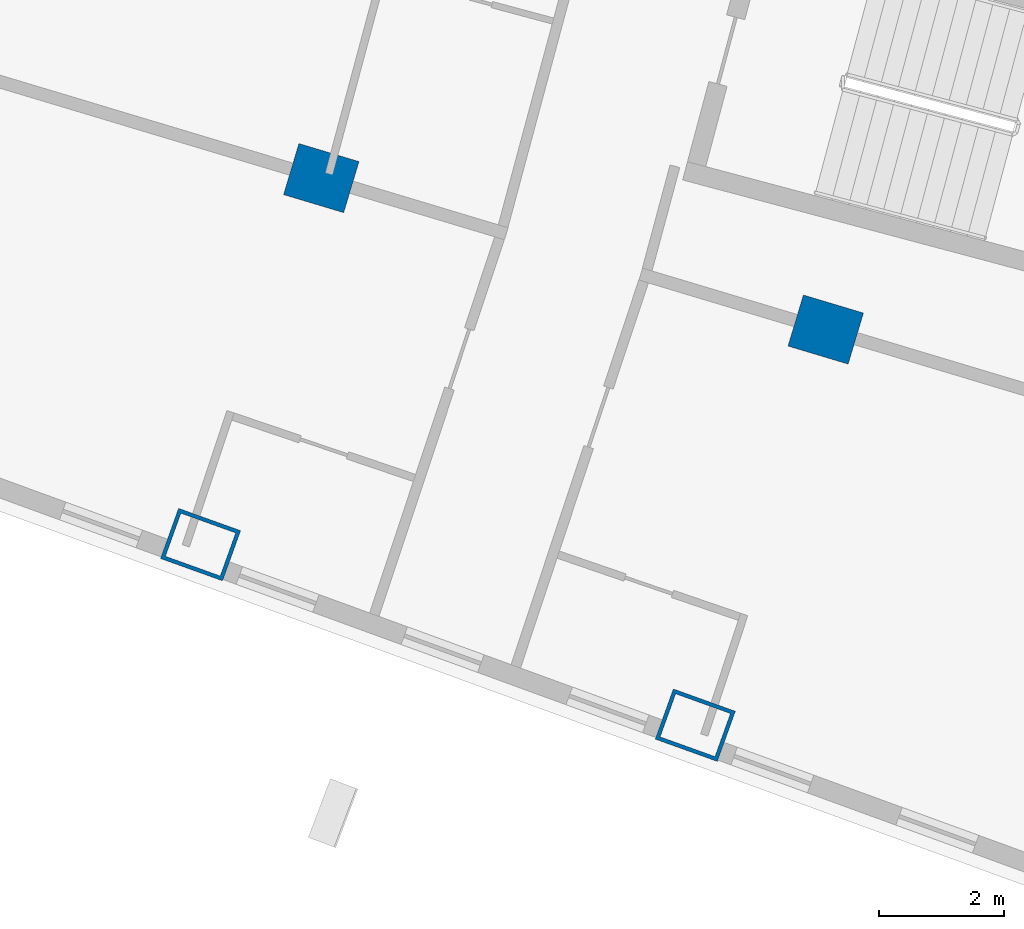
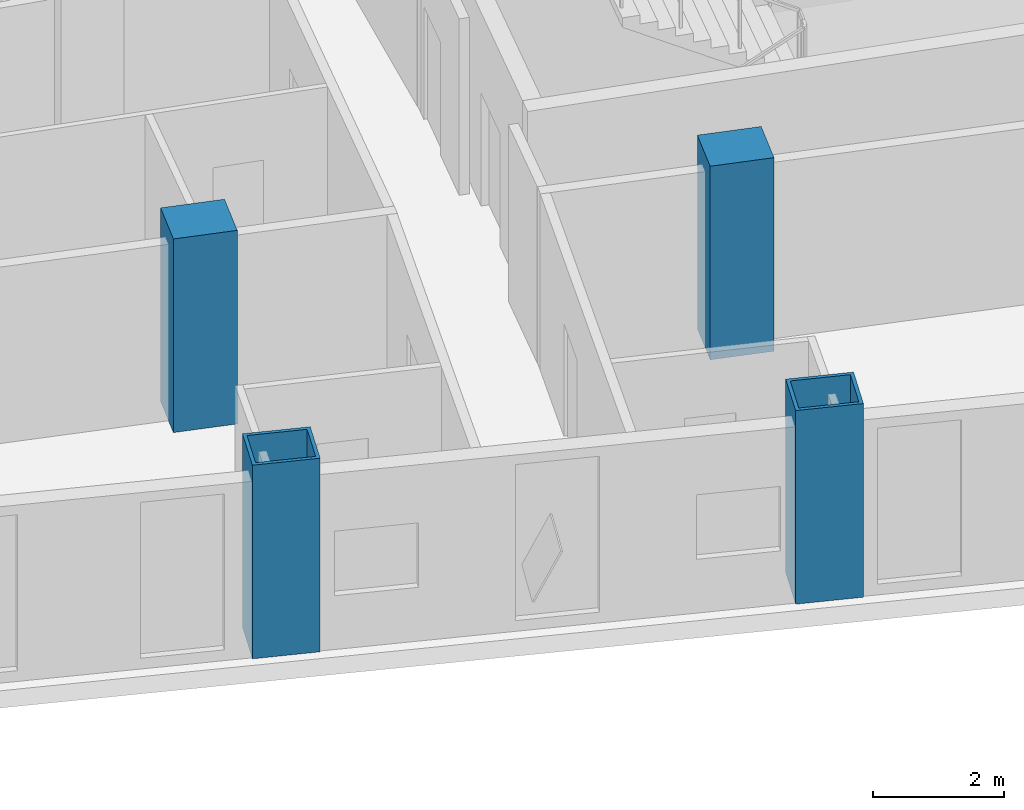
# One storey, part 2 of 25: 4 columns.
"""IFC4 building model written with IfcOpenShell, lengths in metres."""

from ifc_helpers import new_model, si_unit, direction, frame, origin, origin_2d, place, context, subcontext, project, spatial, rectangle, hollow_rectangle, extrude, material, material_profile, profile_set, type_object, element, save


model = new_model("IFC4")

# Units and contexts
model_context = context("Model", 3, precision=1e-05, world=origin(), true_north=direction((0.0, 1.0)))
body_context = subcontext(model_context, "Body", "Model", "MODEL_VIEW")
ifc_project = project(units=[si_unit("LENGTHUNIT", "METRE"), si_unit("AREAUNIT", "SQUARE_METRE"), si_unit("VOLUMEUNIT", "CUBIC_METRE"), si_unit("PLANEANGLEUNIT", "RADIAN"), si_unit("MASSUNIT", "GRAM", prefix="KILO")], contexts=[model_context])

# Site, building, storey
site_placement = place(None, origin())
site = spatial("IfcSite", under=ifc_project, at=site_placement, CompositionType="ELEMENT")
building_placement = place(site_placement, origin())
building = spatial("IfcBuilding", under=site, at=building_placement, Name="Alderwake Tower", CompositionType="ELEMENT")
storey_placement = place(building_placement, frame((0.0, 0.0, 111.199951171875)))
storey = spatial("IfcBuildingStorey", under=building, at=storey_placement, Name="L27", CompositionType="ELEMENT", Elevation=111.199951171875)

# Columns
ifc_material_1 = material(Name="Steel ASTM A572 Grade 50 concrete filled C70/85", Category="concrete")
ifc_material_profile_1 = material_profile(ifc_material_1, hollow_rectangle(XDim=0.85009765625, YDim=1.050048828125, WallThickness=0.06005859375, at=origin_2d()), Name="BOX 1050X850X60")
ifc_profile_set_1 = profile_set([ifc_material_profile_1], Name="Steel ASTM A572 Grade 50 concrete filled C70/85")
column_type_1 = type_object("IfcColumnType", Name="End column Z2", PredefinedType="COLUMN", material=ifc_profile_set_1)
for number, where, z_axis, x_axis, name in (
    (1, (28.983642578125, 21.856689453125, 0.0), (0.0, 0.0, 1.0), (0.338026774049, 0.941136493834, 0.0), "Column R01-C2"),
    (2, (36.87451171875, 18.976318359375, 0.0), (0.0, 0.0, 1.0), (0.338355272059, 0.941018442896, 0.0), "Column R01-C3"),
):
    element("IfcColumn", number, at=place(storey_placement, frame(where, z_axis=z_axis, x_axis=x_axis)), inside=storey, type_object=column_type_1, Name=name, PredefinedType="COLUMN", context=body_context, shape_type="SweptSolid", body=[
        extrude(hollow_rectangle(XDim=0.85009765625, YDim=1.050048828125, WallThickness=0.06005859375, at=origin_2d()), origin(), (0.0, 0.0, 1.0), 3.60009765625),
    ])
ifc_material_2 = material(Name="Concrete C70/85", Category="concrete")
ifc_material_profile_2 = material_profile(ifc_material_2, rectangle(XDim=0.85009765625, YDim=1.0, at=origin_2d()), Name="RC 1000X850")
ifc_profile_set_2 = profile_set([ifc_material_profile_2], Name="Concrete C70/85")
column_type_2 = type_object("IfcColumnType", Name="Interior column Z2", PredefinedType="COLUMN", material=ifc_profile_set_2)
for number, where, z_axis, x_axis, name in (
    (3, (30.9091796875, 27.701904296875, 0.0), (0.0, 0.0, 1.0), (0.287549418125, 0.957765802342, 0.0), "Column R02-C2"),
    (4, (38.95458984375, 25.286376953125, 0.0), (0.0, 0.0, 1.0), (0.287549418125, 0.957765802342, 0.0), "Column R02-C3"),
):
    element("IfcColumn", number, at=place(storey_placement, frame(where, z_axis=z_axis, x_axis=x_axis)), inside=storey, type_object=column_type_2, Name=name, PredefinedType="COLUMN", context=body_context, shape_type="SweptSolid", body=[
        extrude(rectangle(XDim=0.85009765625, YDim=1.0, at=origin_2d()), origin(), (0.0, 0.0, 1.0), 3.60009765625),
    ])

save(model, "model.ifc")
